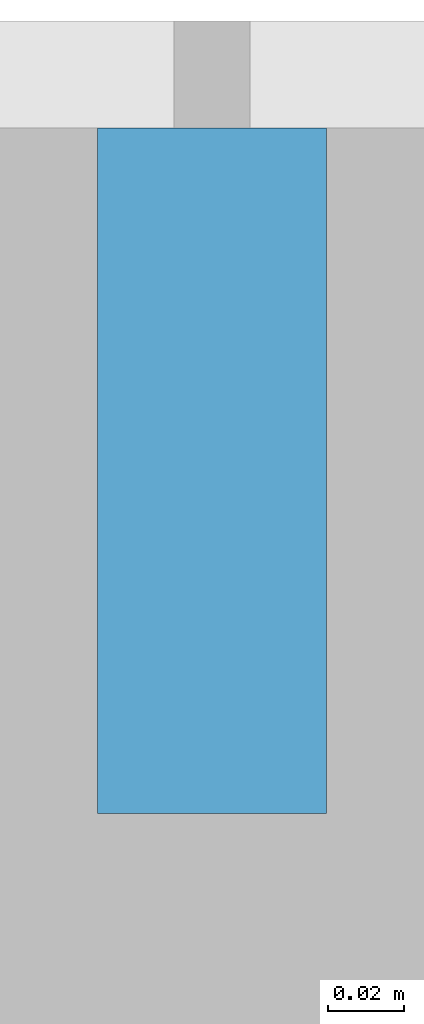
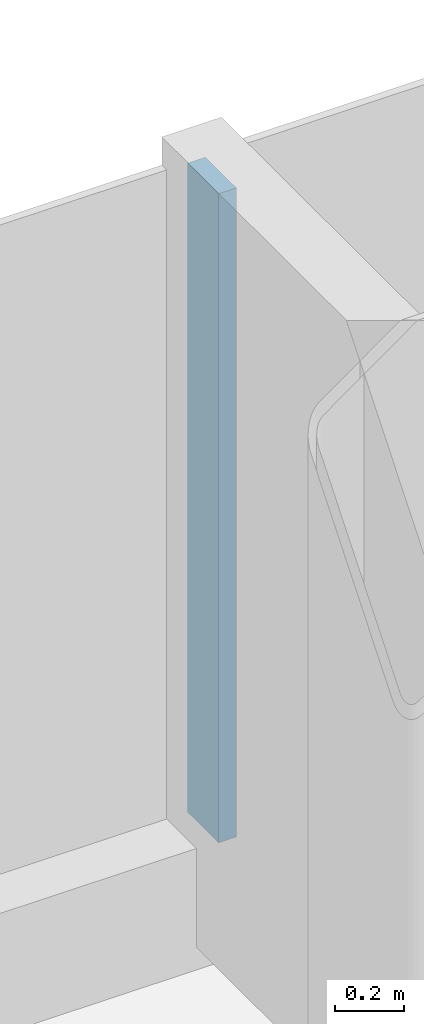
# One storey, part 7 of 26: 1 member, 1 element without a shape of its own.
"""IFC4 building model written with IfcOpenShell, lengths in metres."""

from ifc_helpers import new_model, si_unit, direction, frame, origin, origin_2d, place, context, subcontext, project, spatial, rectangle, extrude, material, layer, layer_set, material_profile, profile_set, type_object, element, aggregate, save


model = new_model("IFC4")

# Units and contexts
model_context = context("Model", 3, precision=1e-05, world=origin(), true_north=direction((0.0, 1.0)))
body_context = subcontext(model_context, "Body", "Model", "MODEL_VIEW")
ifc_project = project(units=[si_unit("LENGTHUNIT", "METRE"), si_unit("AREAUNIT", "SQUARE_METRE"), si_unit("VOLUMEUNIT", "CUBIC_METRE"), si_unit("PLANEANGLEUNIT", "RADIAN"), si_unit("MASSUNIT", "GRAM", prefix="KILO")], contexts=[model_context])

# Site, building, storey
site_placement = place(None, origin())
site = spatial("IfcSite", under=ifc_project, at=site_placement, CompositionType="ELEMENT")
building_placement = place(site_placement, origin())
building = spatial("IfcBuilding", under=site, at=building_placement, Name="Hakoniwa Tower and Hamabe Station Hall", CompositionType="ELEMENT")
storey_placement = place(building_placement, frame((0.0, 0.0, 209.0)))
storey = spatial("IfcBuildingStorey", under=building, at=storey_placement, Name="L59", CompositionType="ELEMENT", Elevation=209.0)

# Curtain wall, member
ifc_material_1 = material(Name="Dark low-e laminated glass", Category="glass")
ifc_layer = layer(ifc_material_1, 0.199951171875)
ifc_layer_set = layer_set([ifc_layer], Name="CW-1 UNITISED GUEST")
curtain_wall_type = type_object("IfcCurtainWallType", Name="CW-1 UNITISED GUEST", PredefinedType="NOTDEFINED", material=ifc_layer_set)
curtain_wall_placement = place(storey_placement, origin())
curtain_wall = element("IfcCurtainWall", 1, at=curtain_wall_placement, inside=storey, type_object=curtain_wall_type, Name="CW-1 curtain wall", PredefinedType="NOTDEFINED")
ifc_material_2 = material(Name="Aluminium 6063-T5 black anodised", Category="aluminium")
ifc_material_profile = material_profile(ifc_material_2, rectangle(XDim=0.06005859375, YDim=0.179931640625, at=origin_2d()), Name="CW-1 MULLION 60X180")
ifc_profile_set = profile_set([ifc_material_profile], Name="Aluminium 6063-T5 black anodised")
member_type = type_object("IfcMemberType", Name="CW-1 MULLION 60X180", PredefinedType="MULLION", material=ifc_profile_set)
member_placement = place(storey_placement, frame((0.0, 20.431884765625, 0.35009765625), z_axis=(0.0, 0.0, 1.0), x_axis=(-1.0, 0.0, 0.0)))
member = element("IfcMember", 2, at=member_placement, type_object=member_type, Name="CW-1 mullion", PredefinedType="MULLION", context=body_context, shape_type="SweptSolid", body=[
    extrude(rectangle(XDim=0.06005859375, YDim=0.179931640625, at=origin_2d()), origin(), (0.0, 0.0, 1.0), 2.2998046875),
])
aggregate(curtain_wall, [member])

save(model, "model.ifc")
